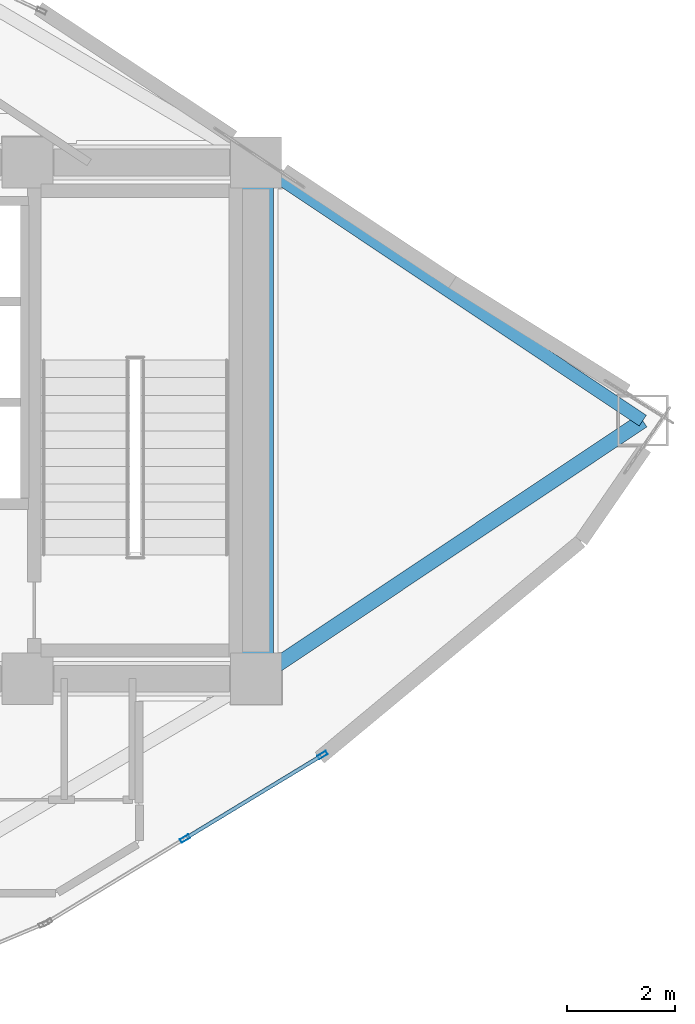
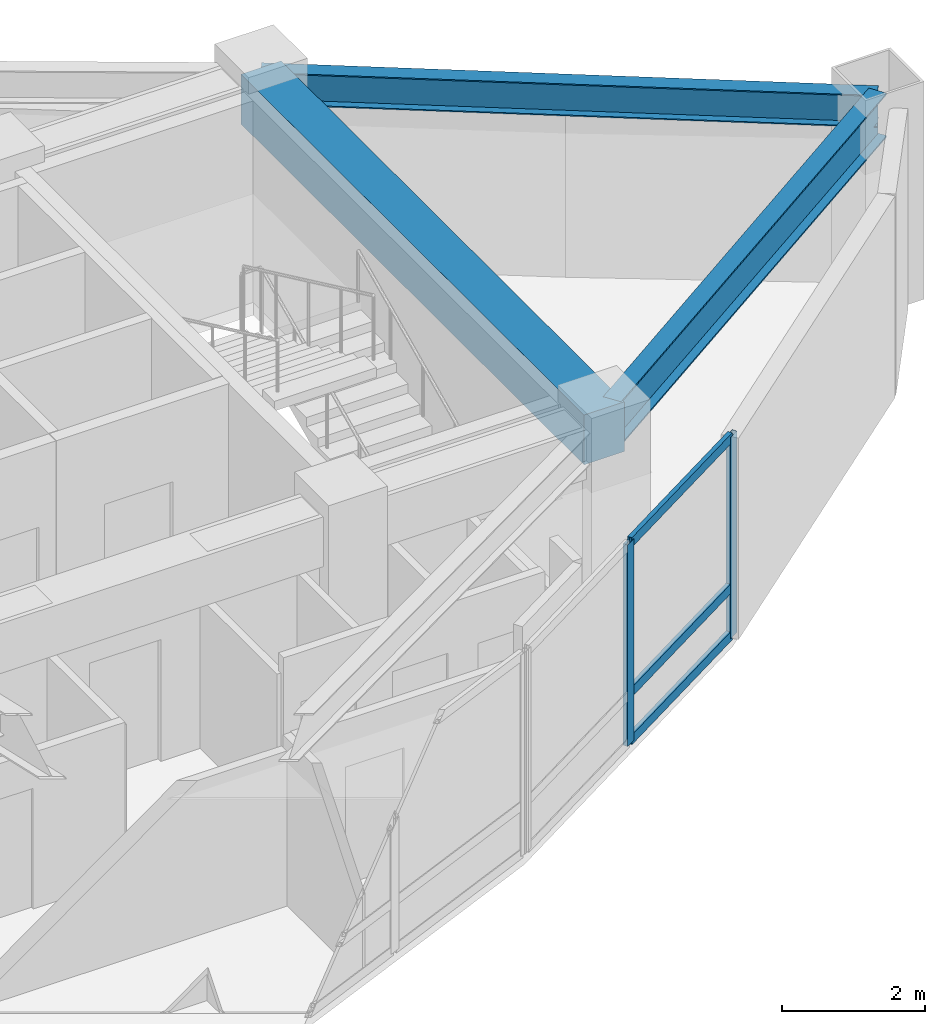
# One storey, part 10 of 16: 5 members, 3 beams, 1 element without a shape of its own.
"""IFC4 building model written with IfcOpenShell, lengths in metres."""

from ifc_helpers import new_model, si_unit, direction, frame, origin, origin_2d, place, context, subcontext, project, spatial, rectangle, hollow_rectangle, i_section, extrude, material, layer, layer_set, material_profile, profile_set, type_object, element, aggregate, save


model = new_model("IFC4")

# Units and contexts
model_context = context("Model", 3, precision=1e-05, world=origin(), true_north=direction((0.0, 1.0)))
body_context = subcontext(model_context, "Body", "Model", "MODEL_VIEW")
ifc_project = project(units=[si_unit("LENGTHUNIT", "METRE"), si_unit("AREAUNIT", "SQUARE_METRE"), si_unit("VOLUMEUNIT", "CUBIC_METRE"), si_unit("PLANEANGLEUNIT", "RADIAN"), si_unit("MASSUNIT", "GRAM", prefix="KILO")], contexts=[model_context])

# Site, building, storey
site_placement = place(None, origin())
site = spatial("IfcSite", under=ifc_project, at=site_placement, CompositionType="ELEMENT")
building_placement = place(site_placement, origin())
building = spatial("IfcBuilding", under=site, at=building_placement, Name="Menara Vayukalpa", CompositionType="ELEMENT")
storey_placement = place(building_placement, frame((0.0, 0.0, 202.679931640625)))
storey = spatial("IfcBuildingStorey", under=building, at=storey_placement, Name="L51", CompositionType="ELEMENT", Elevation=202.679931640625)

# Beams
ifc_material_1 = material(Name="Concrete C60/75", Category="concrete")
ifc_material_profile_1 = material_profile(ifc_material_1, rectangle(XDim=0.64990234375, YDim=0.85009765625, at=origin_2d()), Name="RC 650x850")
ifc_profile_set_1 = profile_set([ifc_material_profile_1], Name="Concrete C60/75")
beam_type_1 = type_object("IfcBeamType", Name="BM-CB1", PredefinedType="BEAM", material=ifc_profile_set_1)
beam_1_placement = place(storey_placement, frame((33.39990234375, 17.199951171875, 3.01513671875), z_axis=(0.0, 1.0, 0.0), x_axis=(-1.0, 0.0, 0.0)))
element("IfcBeam", 1, at=beam_1_placement, inside=storey, type_object=beam_type_1, Name="L51 Core Tie Beam CBR8", PredefinedType="BEAM", context=body_context, shape_type="SweptSolid", body=[
    extrude(rectangle(XDim=0.64990234375, YDim=0.85009765625, at=origin_2d()), origin(), (0.0, 0.0, 1.0), 9.60009765625),
])
ifc_material_2 = material(Name="Steel S355", Category="steel")
ifc_material_profile_2 = material_profile(ifc_material_2, i_section(OverallWidth=0.280029296875, OverallDepth=0.75, WebThickness=0.013916015625, FlangeThickness=0.02490234375, at=origin_2d()), Name="WF 750x280x14x25")
ifc_profile_set_2 = profile_set([ifc_material_profile_2], Name="Steel S355")
beam_type_2 = type_object("IfcBeamType", Name="BM-PG4", PredefinedType="BEAM", material=ifc_profile_set_2)
beam_2_placement = place(storey_placement, frame((33.60791015625, 17.3388671875, 3.065185546875), z_axis=(0.831719080732, 0.555196695547, 0.0), x_axis=(-0.555196695547, 0.831719080732, 0.0)))
element("IfcBeam", 2, at=beam_2_placement, inside=storey, type_object=beam_type_2, Name="L51 Primary Radial Girder RG01", PredefinedType="BEAM", context=body_context, shape_type="SweptSolid", body=[
    extrude(i_section(OverallWidth=0.280029296875, OverallDepth=0.75, WebThickness=0.013916015625, FlangeThickness=0.02490234375, at=origin_2d()), origin(), (0.0, 0.0, 1.0), 8.3955078125),
])
ifc_material_3 = material(Name="Steel S355", Category="steel")
ifc_material_profile_3 = material_profile(ifc_material_3, i_section(OverallWidth=0.239990234375, OverallDepth=0.550048828125, WebThickness=0.010986328125, FlangeThickness=0.01904296875, at=origin_2d()), Name="WF 550x240x11x19")
ifc_profile_set_3 = profile_set([ifc_material_profile_3], Name="Steel S355")
beam_type_3 = type_object("IfcBeamType", Name="BM-SP2", PredefinedType="SPANDREL", material=ifc_profile_set_3)
beam_3_placement = place(storey_placement, frame((40.590576171875, 22.0, 3.1650390625), z_axis=(-0.831715622571, 0.555201876052, 0.0), x_axis=(-0.555201876052, -0.831715622571, 0.0)))
element("IfcBeam", 3, at=beam_3_placement, inside=storey, type_object=beam_type_3, Name="L51 Perimeter Spandrel Beam SP01", PredefinedType="SPANDREL", context=body_context, shape_type="SweptSolid", body=[
    extrude(i_section(OverallWidth=0.239990234375, OverallDepth=0.550048828125, WebThickness=0.010986328125, FlangeThickness=0.01904296875, at=origin_2d()), origin(), (0.0, 0.0, 1.0), 8.6455078125),
])

# Curtain wall, members
ifc_material_4 = material(Name="Anodised Terracotta Aluminium Alloy 6063-T6", Category="masonry")
ifc_layer = layer(ifc_material_4, 0.179931640625)
ifc_layer_set = layer_set([ifc_layer], Name="Anodised Terracotta Aluminium Alloy 6063-T6")
curtain_wall_type = type_object("IfcCurtainWallType", Name="CW-CW4", PredefinedType="USERDEFINED", material=ifc_layer_set)
curtain_wall_placement = place(storey_placement, origin())
curtain_wall = element("IfcCurtainWall", 4, at=curtain_wall_placement, inside=storey, type_object=curtain_wall_type, Name="L51 Sky Bar Cantilever Glazed Curtain Wall CW4 20", ObjectType="UNITISED", PredefinedType="USERDEFINED")
ifc_material_5 = material(Name="Anodised Terracotta Aluminium Alloy 6063-T6", Category="masonry")
ifc_material_profile_4 = material_profile(ifc_material_5, hollow_rectangle(XDim=0.074951171875, YDim=0.179931640625, WallThickness=0.00390625, at=origin_2d()), Name="ALU 75x180x4")
ifc_profile_set_4 = profile_set([ifc_material_profile_4], Name="Anodised Terracotta Aluminium Alloy 6063-T6")
member_type_1 = type_object("IfcMemberType", Name="CWM-CW4", PredefinedType="MULLION", material=ifc_profile_set_4)
member_1_placement = place(storey_placement, frame((32.075439453125, 14.226318359375, 0.0), z_axis=(0.0, 0.0, 1.0), x_axis=(-0.519179911779, 0.854664974832, 0.0)))
member_1 = element("IfcMember", 5, at=member_1_placement, type_object=member_type_1, Name="CW4 mullion 2", PredefinedType="MULLION", context=body_context, shape_type="SweptSolid", body=[
    extrude(hollow_rectangle(XDim=0.074951171875, YDim=0.179931640625, WallThickness=0.00390625, at=origin_2d()), origin(), (0.0, 0.0, 1.0), 3.440185546875),
])
member_2_placement = place(storey_placement, frame((34.63525390625, 15.78125, 0.0), z_axis=(0.0, 0.0, 1.0), x_axis=(-0.519179911779, 0.854664974832, 0.0)))
member_2 = element("IfcMember", 6, at=member_2_placement, type_object=member_type_1, Name="CW4 mullion 3", PredefinedType="MULLION", context=body_context, shape_type="SweptSolid", body=[
    extrude(hollow_rectangle(XDim=0.074951171875, YDim=0.179931640625, WallThickness=0.00390625, at=origin_2d()), origin(), (0.0, 0.0, 1.0), 3.440185546875),
])
ifc_material_6 = material(Name="Anodised Terracotta Aluminium Alloy 6063-T6", Category="masonry")
ifc_material_profile_5 = material_profile(ifc_material_6, hollow_rectangle(XDim=0.070068359375, YDim=0.1650390625, WallThickness=0.00390625, at=origin_2d()), Name="ALU 70x165x4")
ifc_profile_set_5 = profile_set([ifc_material_profile_5], Name="Anodised Terracotta Aluminium Alloy 6063-T6")
member_type_2 = type_object("IfcMemberType", Name="CWT-CW4", PredefinedType="USERDEFINED", material=ifc_profile_set_5)
member_3_placement = place(storey_placement, frame((32.107666015625, 14.245849609375, 0.03515625), z_axis=(0.854684171336, 0.519148309511, 0.0), x_axis=(-0.519148309511, 0.854684171336, 0.0)))
member_3 = element("IfcMember", 7, at=member_3_placement, type_object=member_type_2, Name="CW4 transom 2.1", ObjectType="TRANSOM", PredefinedType="USERDEFINED", context=body_context, shape_type="SweptSolid", body=[
    extrude(hollow_rectangle(XDim=0.070068359375, YDim=0.1650390625, WallThickness=0.00390625, at=origin_2d()), origin(), (0.0, 0.0, 1.0), 2.919921875),
])
member_4_placement = place(storey_placement, frame((32.107666015625, 14.245849609375, 0.85009765625), z_axis=(0.854684171336, 0.519148309511, 0.0), x_axis=(-0.519148309511, 0.854684171336, 0.0)))
member_4 = element("IfcMember", 8, at=member_4_placement, type_object=member_type_2, Name="CW4 transom 2.2", ObjectType="TRANSOM", PredefinedType="USERDEFINED", context=body_context, shape_type="SweptSolid", body=[
    extrude(hollow_rectangle(XDim=0.070068359375, YDim=0.1650390625, WallThickness=0.00390625, at=origin_2d()), origin(), (0.0, 0.0, 1.0), 2.919921875),
])
member_5_placement = place(storey_placement, frame((32.107666015625, 14.245849609375, 3.405029296875), z_axis=(0.854684171336, 0.519148309511, 0.0), x_axis=(-0.519148309511, 0.854684171336, 0.0)))
member_5 = element("IfcMember", 9, at=member_5_placement, type_object=member_type_2, Name="CW4 transom 2.3", ObjectType="TRANSOM", PredefinedType="USERDEFINED", context=body_context, shape_type="SweptSolid", body=[
    extrude(hollow_rectangle(XDim=0.070068359375, YDim=0.1650390625, WallThickness=0.00390625, at=origin_2d()), origin(), (0.0, 0.0, 1.0), 2.919921875),
])
aggregate(curtain_wall, [member_1, member_2, member_3, member_4, member_5])

save(model, "model.ifc")
